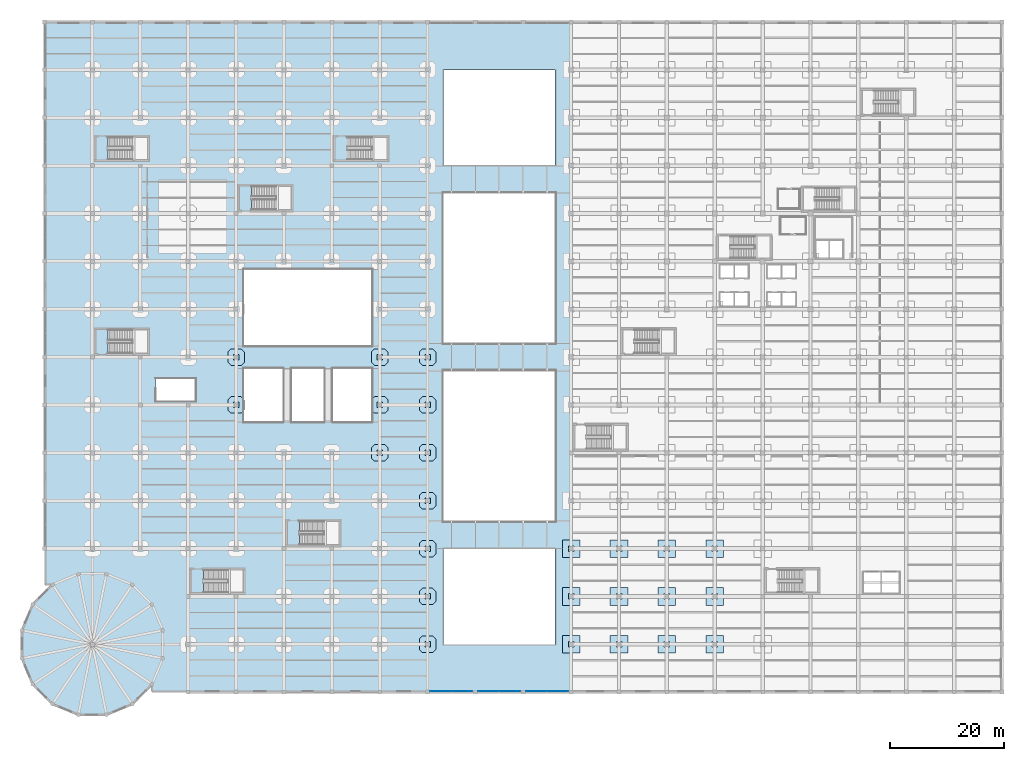
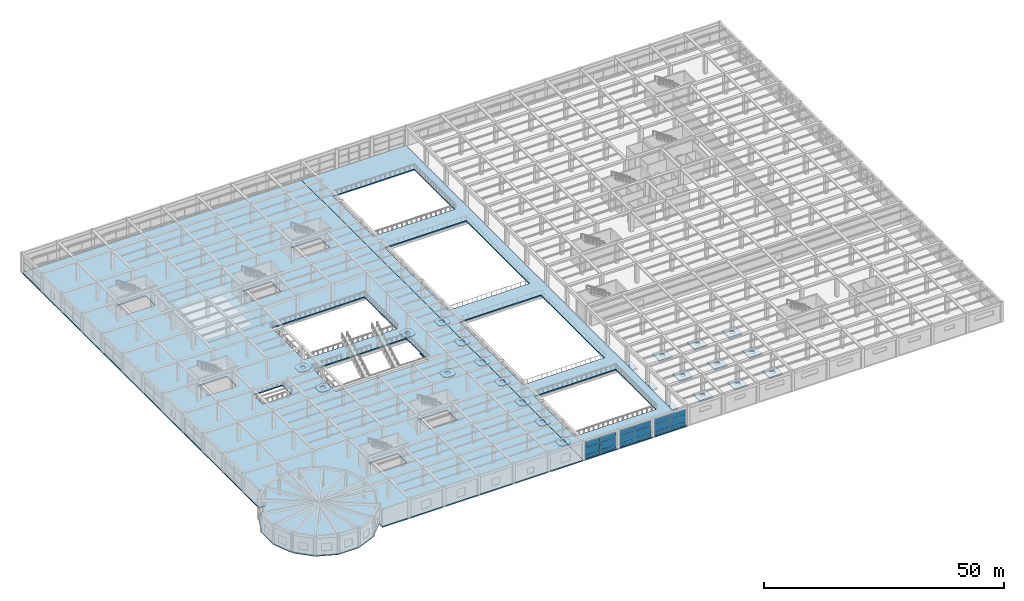
# One storey, part 41 of 65: 26 slabs, 18 plates, 3 elements without a shape of their own.
"""IFC4 building model written with IfcOpenShell, lengths in metres."""

from ifc_helpers import new_model, si_unit, direction, frame, origin, origin_2d, place, context, subcontext, project, spatial, polyline, rectangle, outline, extrude, material, layer, layer_set, type_object, element, aggregate, save


model = new_model("IFC4")

# Units and contexts
model_context = context("Model", 3, precision=1e-05, world=origin(), true_north=direction((0.0, 1.0)))
body_context = subcontext(model_context, "Body", "Model", "MODEL_VIEW")
ifc_project = project(units=[si_unit("LENGTHUNIT", "METRE"), si_unit("AREAUNIT", "SQUARE_METRE"), si_unit("VOLUMEUNIT", "CUBIC_METRE"), si_unit("PLANEANGLEUNIT", "RADIAN"), si_unit("MASSUNIT", "GRAM", prefix="KILO")], contexts=[model_context])

# Site, building, storey
site_placement = place(None, origin())
site = spatial("IfcSite", under=ifc_project, at=site_placement, CompositionType="ELEMENT")
building_placement = place(site_placement, origin())
building = spatial("IfcBuilding", under=site, at=building_placement, Name="Almacenes y Pasaje Nevantli", CompositionType="ELEMENT")
storey_placement = place(building_placement, frame((0.0, 0.0, 16.800048828125)))
storey = spatial("IfcBuildingStorey", under=building, at=storey_placement, Name="L04", CompositionType="ELEMENT", Elevation=16.800048828125)

# Curtain wall, plates
ifc_material_1 = material(Name="Thermally Broken Aluminium and Low-E Glass", Category="aluminium")
curtain_wall_type = type_object("IfcCurtainWallType", Name="CW-STF-ARCADE", PredefinedType="USERDEFINED", material=ifc_material_1)
curtain_wall_1_placement = place(storey_placement, origin())
curtain_wall_1 = element("IfcCurtainWall", 1, at=curtain_wall_1_placement, inside=storey, type_object=curtain_wall_type, Name="L04 South Arcade Portal Curtain Wall Bay 9", ObjectType="STOREFRONT GLAZING", PredefinedType="USERDEFINED")
ifc_material_2 = material(Name="Low-E Double Glazed Insulated Unit", Category="glass")
ifc_layer_1 = layer(ifc_material_2, 0.031982421875)
ifc_layer_set_1 = layer_set([ifc_layer_1], Name="Low-E Double Glazed Insulated Unit")
plate_type = type_object("IfcPlateType", Name="PL-IGU-32", PredefinedType="CURTAIN_PANEL", material=ifc_layer_set_1)
plate_1_placement = place(storey_placement, frame((69.5400390625, 0.14990234375, 0.06005859375), z_axis=(0.0, 0.0, 1.0), x_axis=(1.0, 0.0, 0.0)))
plate_1 = element("IfcPlate", 2, at=plate_1_placement, type_object=plate_type, Name="CW-L04-070 panel 1.1", PredefinedType="CURTAIN_PANEL", context=body_context, shape_type="SweptSolid", body=[
    extrude(rectangle(XDim=3.659912109375, YDim=0.031982421875, at=origin_2d()), origin(), (0.0, 0.0, 1.0), 0.860107421875),
])
plate_2_placement = place(storey_placement, frame((69.5400390625, 0.14990234375, 0.97998046875), z_axis=(0.0, 0.0, 1.0), x_axis=(1.0, 0.0, 0.0)))
plate_2 = element("IfcPlate", 3, at=plate_2_placement, type_object=plate_type, Name="CW-L04-070 panel 1.2", PredefinedType="CURTAIN_PANEL", context=body_context, shape_type="SweptSolid", body=[
    extrude(rectangle(XDim=3.659912109375, YDim=0.031982421875, at=origin_2d()), origin(), (0.0, 0.0, 1.0), 1.840087890625),
])
plate_3_placement = place(storey_placement, frame((69.5400390625, 0.14990234375, 2.8798828125), z_axis=(0.0, 0.0, 1.0), x_axis=(1.0, 0.0, 0.0)))
plate_3 = element("IfcPlate", 4, at=plate_3_placement, type_object=plate_type, Name="CW-L04-070 panel 1.3", PredefinedType="CURTAIN_PANEL", context=body_context, shape_type="SweptSolid", body=[
    extrude(rectangle(XDim=3.659912109375, YDim=0.031982421875, at=origin_2d()), origin(), (0.0, 0.0, 1.0), 1.43994140625),
])
plate_4_placement = place(storey_placement, frame((73.260009765625, 0.14990234375, 0.06005859375), z_axis=(0.0, 0.0, 1.0), x_axis=(1.0, 0.0, 0.0)))
plate_4 = element("IfcPlate", 5, at=plate_4_placement, type_object=plate_type, Name="CW-L04-070 panel 2.1", PredefinedType="CURTAIN_PANEL", context=body_context, shape_type="SweptSolid", body=[
    extrude(rectangle(XDim=3.659912109375, YDim=0.031982421875, at=origin_2d()), origin(), (0.0, 0.0, 1.0), 0.860107421875),
])
plate_5_placement = place(storey_placement, frame((73.260009765625, 0.14990234375, 0.97998046875), z_axis=(0.0, 0.0, 1.0), x_axis=(1.0, 0.0, 0.0)))
plate_5 = element("IfcPlate", 6, at=plate_5_placement, type_object=plate_type, Name="CW-L04-070 panel 2.2", PredefinedType="CURTAIN_PANEL", context=body_context, shape_type="SweptSolid", body=[
    extrude(rectangle(XDim=3.659912109375, YDim=0.031982421875, at=origin_2d()), origin(), (0.0, 0.0, 1.0), 1.840087890625),
])
plate_6_placement = place(storey_placement, frame((73.260009765625, 0.14990234375, 2.8798828125), z_axis=(0.0, 0.0, 1.0), x_axis=(1.0, 0.0, 0.0)))
plate_6 = element("IfcPlate", 7, at=plate_6_placement, type_object=plate_type, Name="CW-L04-070 panel 2.3", PredefinedType="CURTAIN_PANEL", context=body_context, shape_type="SweptSolid", body=[
    extrude(rectangle(XDim=3.659912109375, YDim=0.031982421875, at=origin_2d()), origin(), (0.0, 0.0, 1.0), 1.43994140625),
])
aggregate(curtain_wall_1, [plate_1, plate_2, plate_3, plate_4, plate_5, plate_6])

curtain_wall_2_placement = place(storey_placement, origin())
curtain_wall_2 = element("IfcCurtainWall", 8, at=curtain_wall_2_placement, inside=storey, type_object=curtain_wall_type, Name="L04 South Arcade Portal Curtain Wall Bay 10", ObjectType="STOREFRONT GLAZING", PredefinedType="USERDEFINED")
plate_7_placement = place(storey_placement, frame((77.93994140625, 0.14990234375, 0.06005859375), z_axis=(0.0, 0.0, 1.0), x_axis=(1.0, 0.0, 0.0)))
plate_7 = element("IfcPlate", 9, at=plate_7_placement, type_object=plate_type, Name="CW-L04-071 panel 1.1", PredefinedType="CURTAIN_PANEL", context=body_context, shape_type="SweptSolid", body=[
    extrude(rectangle(XDim=3.659912109375, YDim=0.031982421875, at=origin_2d()), origin(), (0.0, 0.0, 1.0), 0.860107421875),
])
plate_8_placement = place(storey_placement, frame((77.93994140625, 0.14990234375, 0.97998046875), z_axis=(0.0, 0.0, 1.0), x_axis=(1.0, 0.0, 0.0)))
plate_8 = element("IfcPlate", 10, at=plate_8_placement, type_object=plate_type, Name="CW-L04-071 panel 1.2", PredefinedType="CURTAIN_PANEL", context=body_context, shape_type="SweptSolid", body=[
    extrude(rectangle(XDim=3.659912109375, YDim=0.031982421875, at=origin_2d()), origin(), (0.0, 0.0, 1.0), 1.840087890625),
])
plate_9_placement = place(storey_placement, frame((77.93994140625, 0.14990234375, 2.8798828125), z_axis=(0.0, 0.0, 1.0), x_axis=(1.0, 0.0, 0.0)))
plate_9 = element("IfcPlate", 11, at=plate_9_placement, type_object=plate_type, Name="CW-L04-071 panel 1.3", PredefinedType="CURTAIN_PANEL", context=body_context, shape_type="SweptSolid", body=[
    extrude(rectangle(XDim=3.659912109375, YDim=0.031982421875, at=origin_2d()), origin(), (0.0, 0.0, 1.0), 1.43994140625),
])
plate_10_placement = place(storey_placement, frame((81.659912109375, 0.14990234375, 0.06005859375), z_axis=(0.0, 0.0, 1.0), x_axis=(1.0, 0.0, 0.0)))
plate_10 = element("IfcPlate", 12, at=plate_10_placement, type_object=plate_type, Name="CW-L04-071 panel 2.1", PredefinedType="CURTAIN_PANEL", context=body_context, shape_type="SweptSolid", body=[
    extrude(rectangle(XDim=3.659912109375, YDim=0.031982421875, at=origin_2d()), origin(), (0.0, 0.0, 1.0), 0.860107421875),
])
plate_11_placement = place(storey_placement, frame((81.659912109375, 0.14990234375, 0.97998046875), z_axis=(0.0, 0.0, 1.0), x_axis=(1.0, 0.0, 0.0)))
plate_11 = element("IfcPlate", 13, at=plate_11_placement, type_object=plate_type, Name="CW-L04-071 panel 2.2", PredefinedType="CURTAIN_PANEL", context=body_context, shape_type="SweptSolid", body=[
    extrude(rectangle(XDim=3.659912109375, YDim=0.031982421875, at=origin_2d()), origin(), (0.0, 0.0, 1.0), 1.840087890625),
])
plate_12_placement = place(storey_placement, frame((81.659912109375, 0.14990234375, 2.8798828125), z_axis=(0.0, 0.0, 1.0), x_axis=(1.0, 0.0, 0.0)))
plate_12 = element("IfcPlate", 14, at=plate_12_placement, type_object=plate_type, Name="CW-L04-071 panel 2.3", PredefinedType="CURTAIN_PANEL", context=body_context, shape_type="SweptSolid", body=[
    extrude(rectangle(XDim=3.659912109375, YDim=0.031982421875, at=origin_2d()), origin(), (0.0, 0.0, 1.0), 1.43994140625),
])
aggregate(curtain_wall_2, [plate_7, plate_8, plate_9, plate_10, plate_11, plate_12])

curtain_wall_3_placement = place(storey_placement, origin())
curtain_wall_3 = element("IfcCurtainWall", 15, at=curtain_wall_3_placement, inside=storey, type_object=curtain_wall_type, Name="L04 South Arcade Portal Curtain Wall Bay 11", ObjectType="STOREFRONT GLAZING", PredefinedType="USERDEFINED")
plate_13_placement = place(storey_placement, frame((86.340087890625, 0.14990234375, 0.06005859375), z_axis=(0.0, 0.0, 1.0), x_axis=(1.0, 0.0, 0.0)))
plate_13 = element("IfcPlate", 16, at=plate_13_placement, type_object=plate_type, Name="CW-L04-072 panel 1.1", PredefinedType="CURTAIN_PANEL", context=body_context, shape_type="SweptSolid", body=[
    extrude(rectangle(XDim=3.659912109375, YDim=0.031982421875, at=origin_2d()), origin(), (0.0, 0.0, 1.0), 0.860107421875),
])
plate_14_placement = place(storey_placement, frame((86.340087890625, 0.14990234375, 0.97998046875), z_axis=(0.0, 0.0, 1.0), x_axis=(1.0, 0.0, 0.0)))
plate_14 = element("IfcPlate", 17, at=plate_14_placement, type_object=plate_type, Name="CW-L04-072 panel 1.2", PredefinedType="CURTAIN_PANEL", context=body_context, shape_type="SweptSolid", body=[
    extrude(rectangle(XDim=3.659912109375, YDim=0.031982421875, at=origin_2d()), origin(), (0.0, 0.0, 1.0), 1.840087890625),
])
plate_15_placement = place(storey_placement, frame((86.340087890625, 0.14990234375, 2.8798828125), z_axis=(0.0, 0.0, 1.0), x_axis=(1.0, 0.0, 0.0)))
plate_15 = element("IfcPlate", 18, at=plate_15_placement, type_object=plate_type, Name="CW-L04-072 panel 1.3", PredefinedType="CURTAIN_PANEL", context=body_context, shape_type="SweptSolid", body=[
    extrude(rectangle(XDim=3.659912109375, YDim=0.031982421875, at=origin_2d()), origin(), (0.0, 0.0, 1.0), 1.43994140625),
])
plate_16_placement = place(storey_placement, frame((90.06005859375, 0.14990234375, 0.06005859375), z_axis=(0.0, 0.0, 1.0), x_axis=(1.0, 0.0, 0.0)))
plate_16 = element("IfcPlate", 19, at=plate_16_placement, type_object=plate_type, Name="CW-L04-072 panel 2.1", PredefinedType="CURTAIN_PANEL", context=body_context, shape_type="SweptSolid", body=[
    extrude(rectangle(XDim=3.659912109375, YDim=0.031982421875, at=origin_2d()), origin(), (0.0, 0.0, 1.0), 0.860107421875),
])
plate_17_placement = place(storey_placement, frame((90.06005859375, 0.14990234375, 0.97998046875), z_axis=(0.0, 0.0, 1.0), x_axis=(1.0, 0.0, 0.0)))
plate_17 = element("IfcPlate", 20, at=plate_17_placement, type_object=plate_type, Name="CW-L04-072 panel 2.2", PredefinedType="CURTAIN_PANEL", context=body_context, shape_type="SweptSolid", body=[
    extrude(rectangle(XDim=3.659912109375, YDim=0.031982421875, at=origin_2d()), origin(), (0.0, 0.0, 1.0), 1.840087890625),
])
plate_18_placement = place(storey_placement, frame((90.06005859375, 0.14990234375, 2.8798828125), z_axis=(0.0, 0.0, 1.0), x_axis=(1.0, 0.0, 0.0)))
plate_18 = element("IfcPlate", 21, at=plate_18_placement, type_object=plate_type, Name="CW-L04-072 panel 2.3", PredefinedType="CURTAIN_PANEL", context=body_context, shape_type="SweptSolid", body=[
    extrude(rectangle(XDim=3.659912109375, YDim=0.031982421875, at=origin_2d()), origin(), (0.0, 0.0, 1.0), 1.43994140625),
])
aggregate(curtain_wall_3, [plate_13, plate_14, plate_15, plate_16, plate_17, plate_18])

# Slabs
ifc_material_3 = material(Name="Concrete C35/45", Category="concrete")
ifc_layer_2 = layer(ifc_material_3, 0.25)
ifc_layer_set_2 = layer_set([ifc_layer_2], Name="Concrete C35/45")
slab_type_1 = type_object("IfcSlabType", Name="SLB-DP-250", PredefinedType="USERDEFINED", material=ifc_layer_set_2)
slab_1_placement = place(storey_placement, frame((0.0, 0.0, -0.550048828125)))
element("IfcSlab", 22, at=slab_1_placement, inside=storey, type_object=slab_type_1, Name="L04 Punching-Shear Drop Panel DP-02 #782", ObjectType="DROP PANEL", PredefinedType="USERDEFINED", context=body_context, shape_type="SweptSolid", body=[
    extrude(outline(polyline([(32.699951171875, 48.949951171875), (34.5, 48.949951171875), (35.050048828125, 49.5), (35.050048828125, 51.300048828125), (34.5, 51.85009765625), (32.699951171875, 51.85009765625), (32.14990234375, 51.300048828125), (32.14990234375, 49.5), (32.699951171875, 48.949951171875)]), holes=[polyline([(33.1201171875, 49.919921875), (34.080078125, 49.919921875), (34.080078125, 50.8798828125), (33.1201171875, 50.8798828125), (33.1201171875, 49.919921875)])]), origin(), (0.0, 0.0, 1.0), 0.25),
])
slab_2_placement = place(storey_placement, frame((0.0, 0.0, -0.550048828125)))
element("IfcSlab", 23, at=slab_2_placement, inside=storey, type_object=slab_type_1, Name="L04 Punching-Shear Drop Panel DP-02 #783", ObjectType="DROP PANEL", PredefinedType="USERDEFINED", context=body_context, shape_type="SweptSolid", body=[
    extrude(outline(polyline([(32.699951171875, 57.35009765625), (34.5, 57.35009765625), (35.050048828125, 57.89990234375), (35.050048828125, 59.699951171875), (34.5, 60.25), (32.699951171875, 60.25), (32.14990234375, 59.699951171875), (32.14990234375, 57.89990234375), (32.699951171875, 57.35009765625)]), holes=[polyline([(33.1201171875, 58.320068359375), (34.080078125, 58.320068359375), (34.080078125, 59.280029296875), (33.1201171875, 59.280029296875), (33.1201171875, 58.320068359375)])]), origin(), (0.0, 0.0, 1.0), 0.25),
])
slab_3_placement = place(storey_placement, frame((0.0, 0.0, -0.550048828125)))
element("IfcSlab", 24, at=slab_3_placement, inside=storey, type_object=slab_type_1, Name="L04 Punching-Shear Drop Panel DP-02 #809", ObjectType="DROP PANEL", PredefinedType="USERDEFINED", context=body_context, shape_type="SweptSolid", body=[
    extrude(outline(polyline([(57.89990234375, 40.550048828125), (59.699951171875, 40.550048828125), (60.25, 41.10009765625), (60.25, 42.89990234375), (59.699951171875, 43.449951171875), (57.89990234375, 43.449951171875), (57.35009765625, 42.89990234375), (57.35009765625, 41.10009765625), (57.89990234375, 40.550048828125)]), holes=[polyline([(58.320068359375, 41.52001953125), (59.280029296875, 41.52001953125), (59.280029296875, 42.47998046875), (58.320068359375, 42.47998046875), (58.320068359375, 41.52001953125)])]), origin(), (0.0, 0.0, 1.0), 0.25),
])
slab_4_placement = place(storey_placement, frame((0.0, 0.0, -0.550048828125)))
element("IfcSlab", 25, at=slab_4_placement, inside=storey, type_object=slab_type_1, Name="L04 Punching-Shear Drop Panel DP-02 #810", ObjectType="DROP PANEL", PredefinedType="USERDEFINED", context=body_context, shape_type="SweptSolid", body=[
    extrude(outline(polyline([(57.89990234375, 48.949951171875), (59.699951171875, 48.949951171875), (60.25, 49.5), (60.25, 51.300048828125), (59.699951171875, 51.85009765625), (57.89990234375, 51.85009765625), (57.35009765625, 51.300048828125), (57.35009765625, 49.5), (57.89990234375, 48.949951171875)]), holes=[polyline([(58.320068359375, 49.919921875), (59.280029296875, 49.919921875), (59.280029296875, 50.8798828125), (58.320068359375, 50.8798828125), (58.320068359375, 49.919921875)])]), origin(), (0.0, 0.0, 1.0), 0.25),
])
slab_5_placement = place(storey_placement, frame((0.0, 0.0, -0.550048828125)))
element("IfcSlab", 26, at=slab_5_placement, inside=storey, type_object=slab_type_1, Name="L04 Punching-Shear Drop Panel DP-02 #811", ObjectType="DROP PANEL", PredefinedType="USERDEFINED", context=body_context, shape_type="SweptSolid", body=[
    extrude(outline(polyline([(57.89990234375, 57.35009765625), (59.699951171875, 57.35009765625), (60.25, 57.89990234375), (60.25, 59.699951171875), (59.699951171875, 60.25), (57.89990234375, 60.25), (57.35009765625, 59.699951171875), (57.35009765625, 57.89990234375), (57.89990234375, 57.35009765625)]), holes=[polyline([(58.320068359375, 58.320068359375), (59.280029296875, 58.320068359375), (59.280029296875, 59.280029296875), (58.320068359375, 59.280029296875), (58.320068359375, 58.320068359375)])]), origin(), (0.0, 0.0, 1.0), 0.25),
])
slab_6_placement = place(storey_placement, frame((0.0, 0.0, -0.550048828125)))
element("IfcSlab", 27, at=slab_6_placement, inside=storey, type_object=slab_type_1, Name="L04 Punching-Shear Drop Panel DP-02 #817", ObjectType="DROP PANEL", PredefinedType="USERDEFINED", context=body_context, shape_type="SweptSolid", body=[
    extrude(outline(polyline([(66.300048828125, 6.949951171875), (68.10009765625, 6.949951171875), (68.64990234375, 7.5), (68.64990234375, 9.300048828125), (68.10009765625, 9.85009765625), (66.300048828125, 9.85009765625), (65.75, 9.300048828125), (65.75, 7.5), (66.300048828125, 6.949951171875)]), holes=[polyline([(66.719970703125, 7.919921875), (67.679931640625, 7.919921875), (67.679931640625, 8.8798828125), (66.719970703125, 8.8798828125), (66.719970703125, 7.919921875)])]), origin(), (0.0, 0.0, 1.0), 0.25),
])
slab_7_placement = place(storey_placement, frame((0.0, 0.0, -0.550048828125)))
element("IfcSlab", 28, at=slab_7_placement, inside=storey, type_object=slab_type_1, Name="L04 Punching-Shear Drop Panel DP-02 #818", ObjectType="DROP PANEL", PredefinedType="USERDEFINED", context=body_context, shape_type="SweptSolid", body=[
    extrude(outline(polyline([(66.300048828125, 15.35009765625), (68.10009765625, 15.35009765625), (68.64990234375, 15.89990234375), (68.64990234375, 17.699951171875), (68.10009765625, 18.25), (66.300048828125, 18.25), (65.75, 17.699951171875), (65.75, 15.89990234375), (66.300048828125, 15.35009765625)]), holes=[polyline([(66.719970703125, 16.320068359375), (67.679931640625, 16.320068359375), (67.679931640625, 17.280029296875), (66.719970703125, 17.280029296875), (66.719970703125, 16.320068359375)])]), origin(), (0.0, 0.0, 1.0), 0.25),
])
slab_8_placement = place(storey_placement, frame((0.0, 0.0, -0.550048828125)))
element("IfcSlab", 29, at=slab_8_placement, inside=storey, type_object=slab_type_1, Name="L04 Punching-Shear Drop Panel DP-02 #819", ObjectType="DROP PANEL", PredefinedType="USERDEFINED", context=body_context, shape_type="SweptSolid", body=[
    extrude(outline(polyline([(66.300048828125, 23.75), (68.10009765625, 23.75), (68.64990234375, 24.300048828125), (68.64990234375, 26.10009765625), (68.10009765625, 26.64990234375), (66.300048828125, 26.64990234375), (65.75, 26.10009765625), (65.75, 24.300048828125), (66.300048828125, 23.75)]), holes=[polyline([(66.719970703125, 24.719970703125), (67.679931640625, 24.719970703125), (67.679931640625, 25.679931640625), (66.719970703125, 25.679931640625), (66.719970703125, 24.719970703125)])]), origin(), (0.0, 0.0, 1.0), 0.25),
])
slab_9_placement = place(storey_placement, frame((0.0, 0.0, -0.550048828125)))
element("IfcSlab", 30, at=slab_9_placement, inside=storey, type_object=slab_type_1, Name="L04 Punching-Shear Drop Panel DP-02 #820", ObjectType="DROP PANEL", PredefinedType="USERDEFINED", context=body_context, shape_type="SweptSolid", body=[
    extrude(outline(polyline([(66.300048828125, 32.14990234375), (68.10009765625, 32.14990234375), (68.64990234375, 32.699951171875), (68.64990234375, 34.5), (68.10009765625, 35.050048828125), (66.300048828125, 35.050048828125), (65.75, 34.5), (65.75, 32.699951171875), (66.300048828125, 32.14990234375)]), holes=[polyline([(66.719970703125, 33.1201171875), (67.679931640625, 33.1201171875), (67.679931640625, 34.080078125), (66.719970703125, 34.080078125), (66.719970703125, 33.1201171875)])]), origin(), (0.0, 0.0, 1.0), 0.25),
])
slab_10_placement = place(storey_placement, frame((0.0, 0.0, -0.550048828125)))
element("IfcSlab", 31, at=slab_10_placement, inside=storey, type_object=slab_type_1, Name="L04 Punching-Shear Drop Panel DP-02 #821", ObjectType="DROP PANEL", PredefinedType="USERDEFINED", context=body_context, shape_type="SweptSolid", body=[
    extrude(outline(polyline([(66.300048828125, 40.550048828125), (68.10009765625, 40.550048828125), (68.64990234375, 41.10009765625), (68.64990234375, 42.89990234375), (68.10009765625, 43.449951171875), (66.300048828125, 43.449951171875), (65.75, 42.89990234375), (65.75, 41.10009765625), (66.300048828125, 40.550048828125)]), holes=[polyline([(66.719970703125, 41.52001953125), (67.679931640625, 41.52001953125), (67.679931640625, 42.47998046875), (66.719970703125, 42.47998046875), (66.719970703125, 41.52001953125)])]), origin(), (0.0, 0.0, 1.0), 0.25),
])
slab_11_placement = place(storey_placement, frame((0.0, 0.0, -0.550048828125)))
element("IfcSlab", 32, at=slab_11_placement, inside=storey, type_object=slab_type_1, Name="L04 Punching-Shear Drop Panel DP-02 #822", ObjectType="DROP PANEL", PredefinedType="USERDEFINED", context=body_context, shape_type="SweptSolid", body=[
    extrude(outline(polyline([(66.300048828125, 48.949951171875), (68.10009765625, 48.949951171875), (68.64990234375, 49.5), (68.64990234375, 51.300048828125), (68.10009765625, 51.85009765625), (66.300048828125, 51.85009765625), (65.75, 51.300048828125), (65.75, 49.5), (66.300048828125, 48.949951171875)]), holes=[polyline([(66.719970703125, 49.919921875), (67.679931640625, 49.919921875), (67.679931640625, 50.8798828125), (66.719970703125, 50.8798828125), (66.719970703125, 49.919921875)])]), origin(), (0.0, 0.0, 1.0), 0.25),
])
slab_12_placement = place(storey_placement, frame((0.0, 0.0, -0.550048828125)))
element("IfcSlab", 33, at=slab_12_placement, inside=storey, type_object=slab_type_1, Name="L04 Punching-Shear Drop Panel DP-02 #823", ObjectType="DROP PANEL", PredefinedType="USERDEFINED", context=body_context, shape_type="SweptSolid", body=[
    extrude(outline(polyline([(66.300048828125, 57.35009765625), (68.10009765625, 57.35009765625), (68.64990234375, 57.89990234375), (68.64990234375, 59.699951171875), (68.10009765625, 60.25), (66.300048828125, 60.25), (65.75, 59.699951171875), (65.75, 57.89990234375), (66.300048828125, 57.35009765625)]), holes=[polyline([(66.719970703125, 58.320068359375), (67.679931640625, 58.320068359375), (67.679931640625, 59.280029296875), (66.719970703125, 59.280029296875), (66.719970703125, 58.320068359375)])]), origin(), (0.0, 0.0, 1.0), 0.25),
])
ifc_material_4 = material(Name="Concrete C35/45", Category="concrete")
ifc_layer_3 = layer(ifc_material_4, 0.31005859375)
ifc_layer_set_3 = layer_set([ifc_layer_3], Name="Concrete C35/45")
slab_type_2 = type_object("IfcSlabType", Name="SLB-DP-310", PredefinedType="USERDEFINED", material=ifc_layer_set_3)
slab_13_placement = place(storey_placement, frame((0.0, 0.0, -0.610107421875)))
element("IfcSlab", 34, at=slab_13_placement, inside=storey, type_object=slab_type_2, Name="L04 Punching-Shear Drop Panel DP-03 #830", ObjectType="DROP PANEL", PredefinedType="USERDEFINED", context=body_context, shape_type="SweptSolid", body=[
    extrude(outline(polyline([(90.85009765625, 6.85009765625), (93.949951171875, 6.85009765625), (93.949951171875, 9.949951171875), (90.85009765625, 9.949951171875), (90.85009765625, 6.85009765625)]), holes=[polyline([(91.919921875, 7.919921875), (92.8798828125, 7.919921875), (92.8798828125, 8.8798828125), (91.919921875, 8.8798828125), (91.919921875, 7.919921875)])]), origin(), (0.0, 0.0, 1.0), 0.31005859375),
])
slab_14_placement = place(storey_placement, frame((0.0, 0.0, -0.610107421875)))
element("IfcSlab", 35, at=slab_14_placement, inside=storey, type_object=slab_type_2, Name="L04 Punching-Shear Drop Panel DP-03 #831", ObjectType="DROP PANEL", PredefinedType="USERDEFINED", context=body_context, shape_type="SweptSolid", body=[
    extrude(outline(polyline([(90.85009765625, 15.25), (93.949951171875, 15.25), (93.949951171875, 18.35009765625), (90.85009765625, 18.35009765625), (90.85009765625, 15.25)]), holes=[polyline([(91.919921875, 16.320068359375), (92.8798828125, 16.320068359375), (92.8798828125, 17.280029296875), (91.919921875, 17.280029296875), (91.919921875, 16.320068359375)])]), origin(), (0.0, 0.0, 1.0), 0.31005859375),
])
slab_15_placement = place(storey_placement, frame((0.0, 0.0, -0.610107421875)))
element("IfcSlab", 36, at=slab_15_placement, inside=storey, type_object=slab_type_2, Name="L04 Punching-Shear Drop Panel DP-03 #832", ObjectType="DROP PANEL", PredefinedType="USERDEFINED", context=body_context, shape_type="SweptSolid", body=[
    extrude(outline(polyline([(90.85009765625, 23.64990234375), (93.949951171875, 23.64990234375), (93.949951171875, 26.75), (90.85009765625, 26.75), (90.85009765625, 23.64990234375)]), holes=[polyline([(91.919921875, 24.719970703125), (92.8798828125, 24.719970703125), (92.8798828125, 25.679931640625), (91.919921875, 25.679931640625), (91.919921875, 24.719970703125)])]), origin(), (0.0, 0.0, 1.0), 0.31005859375),
])
slab_16_placement = place(storey_placement, frame((0.0, 0.0, -0.610107421875)))
element("IfcSlab", 37, at=slab_16_placement, inside=storey, type_object=slab_type_2, Name="L04 Punching-Shear Drop Panel DP-03 #842", ObjectType="DROP PANEL", PredefinedType="USERDEFINED", context=body_context, shape_type="SweptSolid", body=[
    extrude(outline(polyline([(99.25, 6.85009765625), (102.35009765625, 6.85009765625), (102.35009765625, 9.949951171875), (99.25, 9.949951171875), (99.25, 6.85009765625)]), holes=[polyline([(100.320068359375, 7.919921875), (101.280029296875, 7.919921875), (101.280029296875, 8.8798828125), (100.320068359375, 8.8798828125), (100.320068359375, 7.919921875)])]), origin(), (0.0, 0.0, 1.0), 0.31005859375),
])
slab_17_placement = place(storey_placement, frame((0.0, 0.0, -0.610107421875)))
element("IfcSlab", 38, at=slab_17_placement, inside=storey, type_object=slab_type_2, Name="L04 Punching-Shear Drop Panel DP-03 #843", ObjectType="DROP PANEL", PredefinedType="USERDEFINED", context=body_context, shape_type="SweptSolid", body=[
    extrude(outline(polyline([(99.25, 15.25), (102.35009765625, 15.25), (102.35009765625, 18.35009765625), (99.25, 18.35009765625), (99.25, 15.25)]), holes=[polyline([(100.320068359375, 16.320068359375), (101.280029296875, 16.320068359375), (101.280029296875, 17.280029296875), (100.320068359375, 17.280029296875), (100.320068359375, 16.320068359375)])]), origin(), (0.0, 0.0, 1.0), 0.31005859375),
])
slab_18_placement = place(storey_placement, frame((0.0, 0.0, -0.610107421875)))
element("IfcSlab", 39, at=slab_18_placement, inside=storey, type_object=slab_type_2, Name="L04 Punching-Shear Drop Panel DP-03 #844", ObjectType="DROP PANEL", PredefinedType="USERDEFINED", context=body_context, shape_type="SweptSolid", body=[
    extrude(outline(polyline([(99.25, 23.64990234375), (102.35009765625, 23.64990234375), (102.35009765625, 26.75), (99.25, 26.75), (99.25, 23.64990234375)]), holes=[polyline([(100.320068359375, 24.719970703125), (101.280029296875, 24.719970703125), (101.280029296875, 25.679931640625), (100.320068359375, 25.679931640625), (100.320068359375, 24.719970703125)])]), origin(), (0.0, 0.0, 1.0), 0.31005859375),
])
slab_19_placement = place(storey_placement, frame((0.0, 0.0, -0.610107421875)))
element("IfcSlab", 40, at=slab_19_placement, inside=storey, type_object=slab_type_2, Name="L04 Punching-Shear Drop Panel DP-03 #853", ObjectType="DROP PANEL", PredefinedType="USERDEFINED", context=body_context, shape_type="SweptSolid", body=[
    extrude(outline(polyline([(107.64990234375, 6.85009765625), (110.75, 6.85009765625), (110.75, 9.949951171875), (107.64990234375, 9.949951171875), (107.64990234375, 6.85009765625)]), holes=[polyline([(108.719970703125, 7.919921875), (109.679931640625, 7.919921875), (109.679931640625, 8.8798828125), (108.719970703125, 8.8798828125), (108.719970703125, 7.919921875)])]), origin(), (0.0, 0.0, 1.0), 0.31005859375),
])
slab_20_placement = place(storey_placement, frame((0.0, 0.0, -0.610107421875)))
element("IfcSlab", 41, at=slab_20_placement, inside=storey, type_object=slab_type_2, Name="L04 Punching-Shear Drop Panel DP-03 #854", ObjectType="DROP PANEL", PredefinedType="USERDEFINED", context=body_context, shape_type="SweptSolid", body=[
    extrude(outline(polyline([(107.64990234375, 15.25), (110.75, 15.25), (110.75, 18.35009765625), (107.64990234375, 18.35009765625), (107.64990234375, 15.25)]), holes=[polyline([(108.719970703125, 16.320068359375), (109.679931640625, 16.320068359375), (109.679931640625, 17.280029296875), (108.719970703125, 17.280029296875), (108.719970703125, 16.320068359375)])]), origin(), (0.0, 0.0, 1.0), 0.31005859375),
])
slab_21_placement = place(storey_placement, frame((0.0, 0.0, -0.610107421875)))
element("IfcSlab", 42, at=slab_21_placement, inside=storey, type_object=slab_type_2, Name="L04 Punching-Shear Drop Panel DP-03 #855", ObjectType="DROP PANEL", PredefinedType="USERDEFINED", context=body_context, shape_type="SweptSolid", body=[
    extrude(outline(polyline([(107.64990234375, 23.64990234375), (110.75, 23.64990234375), (110.75, 26.75), (107.64990234375, 26.75), (107.64990234375, 23.64990234375)]), holes=[polyline([(108.719970703125, 24.719970703125), (109.679931640625, 24.719970703125), (109.679931640625, 25.679931640625), (108.719970703125, 25.679931640625), (108.719970703125, 24.719970703125)])]), origin(), (0.0, 0.0, 1.0), 0.31005859375),
])
slab_22_placement = place(storey_placement, frame((0.0, 0.0, -0.610107421875)))
element("IfcSlab", 43, at=slab_22_placement, inside=storey, type_object=slab_type_2, Name="L04 Punching-Shear Drop Panel DP-03 #865", ObjectType="DROP PANEL", PredefinedType="USERDEFINED", context=body_context, shape_type="SweptSolid", body=[
    extrude(outline(polyline([(116.050048828125, 6.85009765625), (119.14990234375, 6.85009765625), (119.14990234375, 9.949951171875), (116.050048828125, 9.949951171875), (116.050048828125, 6.85009765625)]), holes=[polyline([(117.1201171875, 7.919921875), (118.080078125, 7.919921875), (118.080078125, 8.8798828125), (117.1201171875, 8.8798828125), (117.1201171875, 7.919921875)])]), origin(), (0.0, 0.0, 1.0), 0.31005859375),
])
slab_23_placement = place(storey_placement, frame((0.0, 0.0, -0.610107421875)))
element("IfcSlab", 44, at=slab_23_placement, inside=storey, type_object=slab_type_2, Name="L04 Punching-Shear Drop Panel DP-03 #866", ObjectType="DROP PANEL", PredefinedType="USERDEFINED", context=body_context, shape_type="SweptSolid", body=[
    extrude(outline(polyline([(116.050048828125, 15.25), (119.14990234375, 15.25), (119.14990234375, 18.35009765625), (116.050048828125, 18.35009765625), (116.050048828125, 15.25)]), holes=[polyline([(117.1201171875, 16.320068359375), (118.080078125, 16.320068359375), (118.080078125, 17.280029296875), (117.1201171875, 17.280029296875), (117.1201171875, 16.320068359375)])]), origin(), (0.0, 0.0, 1.0), 0.31005859375),
])
slab_24_placement = place(storey_placement, frame((0.0, 0.0, -0.610107421875)))
element("IfcSlab", 45, at=slab_24_placement, inside=storey, type_object=slab_type_2, Name="L04 Punching-Shear Drop Panel DP-03 #867", ObjectType="DROP PANEL", PredefinedType="USERDEFINED", context=body_context, shape_type="SweptSolid", body=[
    extrude(outline(polyline([(116.050048828125, 23.64990234375), (119.14990234375, 23.64990234375), (119.14990234375, 26.75), (116.050048828125, 26.75), (116.050048828125, 23.64990234375)]), holes=[polyline([(117.1201171875, 24.719970703125), (118.080078125, 24.719970703125), (118.080078125, 25.679931640625), (117.1201171875, 25.679931640625), (117.1201171875, 24.719970703125)])]), origin(), (0.0, 0.0, 1.0), 0.31005859375),
])
ifc_material_5 = material(Name="Concrete C35/45", Category="concrete")
ifc_layer_4 = layer(ifc_material_5, 0.300048828125)
ifc_layer_set_4 = layer_set([ifc_layer_4], Name="Concrete C35/45")
slab_type_3 = type_object("IfcSlabType", Name="SLB-FLR-300", PredefinedType="FLOOR", material=ifc_layer_set_4)
slab_25_placement = place(storey_placement, frame((0.0, 0.0, -0.300048828125)))
element("IfcSlab", 46, at=slab_25_placement, inside=storey, type_object=slab_type_3, Name="L04 West Department Store and Rotunda Floor Slab", PredefinedType="FLOOR", context=body_context, shape_type="SweptSolid", body=[
    extrude(outline(polyline([(18.87646484375, 0.0), (67.199951171875, 0.0), (67.199951171875, 117.60009765625), (0.0, 117.60009765625), (0.0, 18.87646484375), (1.39990234375, 18.87646484375), (-2.076416015625, 15.400146484375), (-3.9580078125, 10.858154296875), (-3.9580078125, 5.94189453125), (-2.076416015625, 1.39990234375), (1.39990234375, -2.076416015625), (5.94189453125, -3.9580078125), (10.858154296875, -3.9580078125), (15.400146484375, -2.076416015625), (18.87646484375, 1.39990234375), (18.87646484375, 0.0)]), holes=[polyline([(11.114990234375, 93.449951171875), (18.10009765625, 93.449951171875), (18.10009765625, 97.39990234375), (11.114990234375, 97.39990234375), (11.114990234375, 93.449951171875)]), polyline([(27.9150390625, 17.5), (34.89990234375, 17.5), (34.89990234375, 21.449951171875), (27.9150390625, 21.449951171875), (27.9150390625, 17.5)]), polyline([(53.114990234375, 93.449951171875), (60.10009765625, 93.449951171875), (60.10009765625, 97.39990234375), (53.114990234375, 97.39990234375), (53.114990234375, 93.449951171875)]), polyline([(11.114990234375, 59.449951171875), (18.10009765625, 59.449951171875), (18.10009765625, 63.60009765625), (11.114990234375, 63.60009765625), (11.114990234375, 59.449951171875)]), polyline([(44.715087890625, 25.85009765625), (51.699951171875, 25.85009765625), (51.699951171875, 30.0), (44.715087890625, 30.0), (44.715087890625, 25.85009765625)]), polyline([(36.31494140625, 84.64990234375), (43.300048828125, 84.64990234375), (43.300048828125, 88.800048828125), (36.31494140625, 88.800048828125), (36.31494140625, 84.64990234375)]), polyline([(19.514892578125, 51.050048828125), (26.5, 51.050048828125), (26.5, 55.0), (19.514892578125, 55.0), (19.514892578125, 51.050048828125)]), polyline([(35.0, 47.449951171875), (57.39990234375, 47.449951171875), (57.39990234375, 56.800048828125), (35.0, 56.800048828125), (35.0, 47.449951171875)]), polyline([(35.0, 60.800048828125), (57.39990234375, 60.800048828125), (57.39990234375, 74.199951171875), (35.0, 74.199951171875), (35.0, 60.800048828125)])]), origin(), (0.0, 0.0, 1.0), 0.300048828125),
])
slab_26_placement = place(storey_placement, frame((0.0, 0.0, -0.300048828125)))
element("IfcSlab", 47, at=slab_26_placement, inside=storey, type_object=slab_type_3, Name="L04 Arcade Gallery and Pedestrian Bridge Slab", PredefinedType="FLOOR", context=body_context, shape_type="SweptSolid", body=[
    extrude(outline(polyline([(67.199951171875, 0.0), (92.39990234375, 0.0), (92.39990234375, 117.60009765625), (67.199951171875, 117.60009765625), (67.199951171875, 0.0)]), holes=[polyline([(70.0, 8.39990234375), (89.60009765625, 8.39990234375), (89.60009765625, 25.199951171875), (70.0, 25.199951171875), (70.0, 8.39990234375)]), polyline([(70.0, 30.0), (89.60009765625, 30.0), (89.60009765625, 56.39990234375), (70.0, 56.39990234375), (70.0, 30.0)]), polyline([(70.0, 61.199951171875), (89.60009765625, 61.199951171875), (89.60009765625, 87.60009765625), (70.0, 87.60009765625), (70.0, 61.199951171875)]), polyline([(70.0, 92.39990234375), (89.60009765625, 92.39990234375), (89.60009765625, 109.199951171875), (70.0, 109.199951171875), (70.0, 92.39990234375)])]), origin(), (0.0, 0.0, 1.0), 0.300048828125),
])

save(model, "model.ifc")
